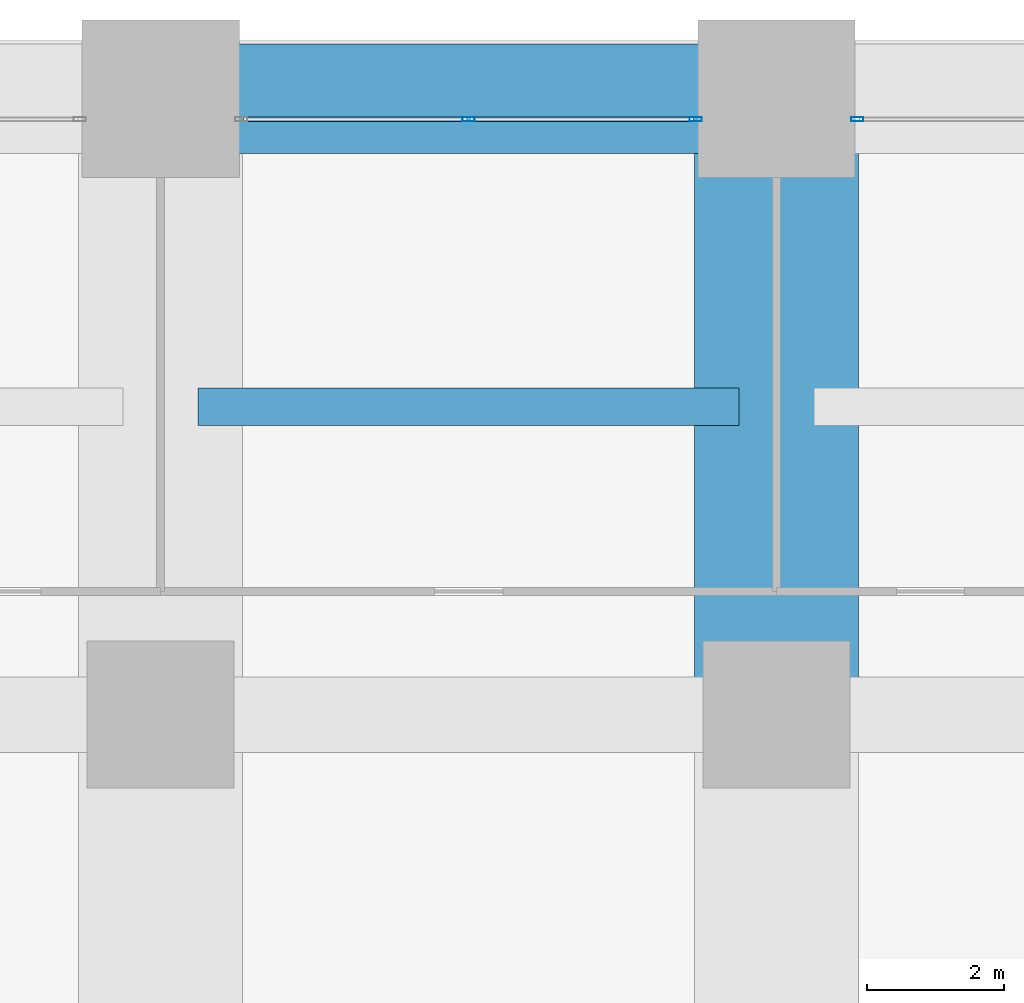
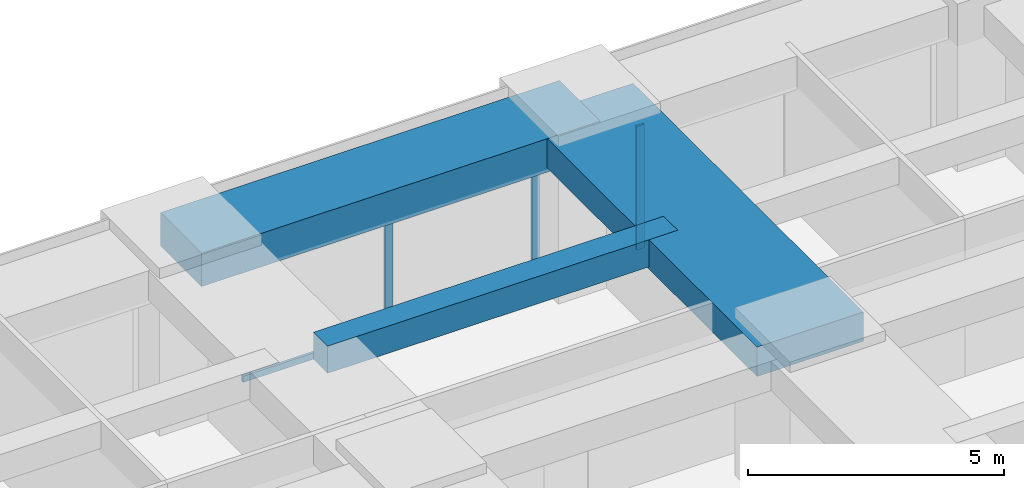
# One storey, part 35 of 43: 4 members, 3 beams, 2 elements without a shape of their own.
"""IFC4 building model written with IfcOpenShell, lengths in metres."""

from ifc_helpers import new_model, si_unit, direction, frame, origin, origin_2d, place, context, subcontext, project, spatial, rectangle, hollow_rectangle, extrude, material, material_profile, profile_set, type_object, element, aggregate, save


model = new_model("IFC4")

# Units and contexts
model_context = context("Model", 3, precision=1e-05, world=origin(), true_north=direction((0.0, 1.0)))
body_context = subcontext(model_context, "Body", "Model", "MODEL_VIEW")
ifc_project = project(units=[si_unit("LENGTHUNIT", "METRE"), si_unit("AREAUNIT", "SQUARE_METRE"), si_unit("VOLUMEUNIT", "CUBIC_METRE"), si_unit("PLANEANGLEUNIT", "RADIAN"), si_unit("MASSUNIT", "GRAM", prefix="KILO")], contexts=[model_context])

# Site, building, storey
site_placement = place(None, origin())
site = spatial("IfcSite", under=ifc_project, at=site_placement, CompositionType="ELEMENT")
building_placement = place(site_placement, origin())
building = spatial("IfcBuilding", under=site, at=building_placement, Name="Zorevar Civic Tower", CompositionType="ELEMENT")
storey_placement = place(building_placement, frame((0.0, 0.0, 67.800048828125)))
storey = spatial("IfcBuildingStorey", under=building, at=storey_placement, Name="L16", CompositionType="ELEMENT", Elevation=67.800048828125)

# Beams
ifc_material_1 = material(Name="Concrete C50/60", Category="concrete")
ifc_material_profile_1 = material_profile(ifc_material_1, rectangle(XDim=2.39990234375, YDim=0.699951171875, at=origin_2d()), Name="RC 2400x700")
ifc_profile_set_1 = profile_set([ifc_material_profile_1], Name="Concrete C50/60")
beam_type_1 = type_object("IfcBeamType", Name="Beam RC 2400x700", PredefinedType="BEAM", material=ifc_profile_set_1)
beam_1_placement = place(storey_placement, frame((45.0, 45.0, 3.39990234375), z_axis=(0.0, 1.0, 0.0), x_axis=(-1.0, 0.0, 0.0)))
element("IfcBeam", 1, at=beam_1_placement, inside=storey, type_object=beam_type_1, Name="Girder L17", PredefinedType="BEAM", context=body_context, shape_type="SweptSolid", body=[
    extrude(rectangle(XDim=2.39990234375, YDim=0.699951171875, at=origin_2d()), origin(), (0.0, 0.0, 1.0), 9.0),
])
ifc_material_2 = material(Name="Concrete C50/60", Category="concrete")
ifc_material_profile_2 = material_profile(ifc_material_2, rectangle(XDim=0.550048828125, YDim=0.64990234375, at=origin_2d()), Name="RC 550x650")
ifc_profile_set_2 = profile_set([ifc_material_profile_2], Name="Concrete C50/60")
beam_type_2 = type_object("IfcBeamType", Name="Beam RC 550x650", PredefinedType="BEAM", material=ifc_profile_set_2)
beam_2_placement = place(storey_placement, frame((36.550048828125, 49.5, 3.425048828125), z_axis=(1.0, 0.0, 0.0), x_axis=(0.0, 1.0, 0.0)))
element("IfcBeam", 2, at=beam_2_placement, inside=storey, type_object=beam_type_2, Name="Secondary beam L17", PredefinedType="BEAM", context=body_context, shape_type="SweptSolid", body=[
    extrude(rectangle(XDim=0.550048828125, YDim=0.64990234375, at=origin_2d()), origin(), (0.0, 0.0, 1.0), 7.89990234375),
])

# Curtain wall, members
ifc_material_3 = material(Name="Dark grey solar-control glass in black aluminium frame", Category="aluminium")
curtain_wall_type = type_object("IfcCurtainWallType", Name="Curtain wall CW2 low zone", PredefinedType="NOTDEFINED", material=ifc_material_3)
curtain_wall_1_placement = place(storey_placement, origin())
curtain_wall_1 = element("IfcCurtainWall", 3, at=curtain_wall_1_placement, inside=storey, type_object=curtain_wall_type, Name="CW2 L16", PredefinedType="NOTDEFINED")
ifc_material_4 = material(Name="Aluminium, black anodised", Category="aluminium")
ifc_material_profile_3 = material_profile(ifc_material_4, hollow_rectangle(XDim=0.06005859375, YDim=0.179931640625, WallThickness=0.00390625, at=origin_2d()), Name="AL 180x60x4")
ifc_profile_set_3 = profile_set([ifc_material_profile_3], Name="Aluminium, black anodised")
member_type_1 = type_object("IfcMemberType", Name="CW2 mullion AL 180x60x4", PredefinedType="MULLION", material=ifc_profile_set_3)
member_1_placement = place(storey_placement, frame((40.5, 53.699951171875, 0.06005859375), z_axis=(0.0, 0.0, 1.0), x_axis=(0.0, 1.0, 0.0)))
member_1 = element("IfcMember", 4, at=member_1_placement, type_object=member_type_1, Name="CW2 mullion 2", PredefinedType="MULLION", context=body_context, shape_type="SweptSolid", body=[
    extrude(hollow_rectangle(XDim=0.06005859375, YDim=0.179931640625, WallThickness=0.00390625, at=origin_2d()), origin(), (0.0, 0.0, 1.0), 2.889892578125),
])
member_2_placement = place(storey_placement, frame((43.820068359375, 53.699951171875, 0.0), z_axis=(0.0, 0.0, 1.0), x_axis=(0.0, 1.0, 0.0)))
member_2 = element("IfcMember", 5, at=member_2_placement, type_object=member_type_1, Name="CW2 mullion 3", PredefinedType="MULLION", context=body_context, shape_type="SweptSolid", body=[
    extrude(hollow_rectangle(XDim=0.06005859375, YDim=0.179931640625, WallThickness=0.00390625, at=origin_2d()), origin(), (0.0, 0.0, 1.0), 2.949951171875),
])

# Curtain wall, member
curtain_wall_2_placement = place(storey_placement, origin())
curtain_wall_2 = element("IfcCurtainWall", 6, at=curtain_wall_2_placement, inside=storey, type_object=curtain_wall_type, Name="CW2 L16", PredefinedType="NOTDEFINED")
member_3_placement = place(storey_placement, frame((46.179931640625, 53.699951171875, 0.0), z_axis=(0.0, 0.0, 1.0), x_axis=(0.0, 1.0, 0.0)))
member_3 = element("IfcMember", 7, at=member_3_placement, type_object=member_type_1, Name="CW2 mullion 1", PredefinedType="MULLION", context=body_context, shape_type="SweptSolid", body=[
    extrude(hollow_rectangle(XDim=0.06005859375, YDim=0.179931640625, WallThickness=0.00390625, at=origin_2d()), origin(), (0.0, 0.0, 1.0), 2.949951171875),
])
aggregate(curtain_wall_2, [member_3])

# Member
ifc_material_5 = material(Name="Aluminium, black anodised", Category="aluminium")
ifc_material_profile_4 = material_profile(ifc_material_5, hollow_rectangle(XDim=0.06005859375, YDim=0.14990234375, WallThickness=0.00390625, at=origin_2d()), Name="AL 150x60x4")
ifc_profile_set_4 = profile_set([ifc_material_profile_4], Name="Aluminium, black anodised")
member_type_2 = type_object("IfcMemberType", Name="CW2 transom AL 150x60x4", PredefinedType="USERDEFINED", material=ifc_profile_set_4)
member_4_placement = place(storey_placement, frame((37.2099609375, 53.699951171875, 0.030029296875), z_axis=(1.0, 0.0, 0.0), x_axis=(0.0, 1.0, 0.0)))
member_4 = element("IfcMember", 8, at=member_4_placement, type_object=member_type_2, Name="CW2 sill transom", ObjectType="TRANSOM", PredefinedType="USERDEFINED", context=body_context, shape_type="SweptSolid", body=[
    extrude(hollow_rectangle(XDim=0.06005859375, YDim=0.14990234375, WallThickness=0.00390625, at=origin_2d()), origin(), (0.0, 0.0, 1.0), 6.580078125),
])

aggregate(curtain_wall_1, [member_1, member_2, member_4])

# Beam
ifc_material_6 = material(Name="Concrete C50/60", Category="concrete")
ifc_material_profile_5 = material_profile(ifc_material_6, rectangle(XDim=1.60009765625, YDim=0.800048828125, at=origin_2d()), Name="RC 1600x800")
ifc_profile_set_5 = profile_set([ifc_material_profile_5], Name="Concrete C50/60")
beam_type_3 = type_object("IfcBeamType", Name="Edge beam RC 1600x800", PredefinedType="SPANDREL", material=ifc_profile_set_5)
beam_3_placement = place(storey_placement, frame((36.0, 54.0, 3.349853515625), z_axis=(1.0, 0.0, 0.0), x_axis=(0.0, 1.0, 0.0)))
element("IfcBeam", 9, at=beam_3_placement, inside=storey, type_object=beam_type_3, Name="Edge beam L17", PredefinedType="SPANDREL", context=body_context, shape_type="SweptSolid", body=[
    extrude(rectangle(XDim=1.60009765625, YDim=0.800048828125, at=origin_2d()), origin(), (0.0, 0.0, 1.0), 9.0),
])

save(model, "model.ifc")
